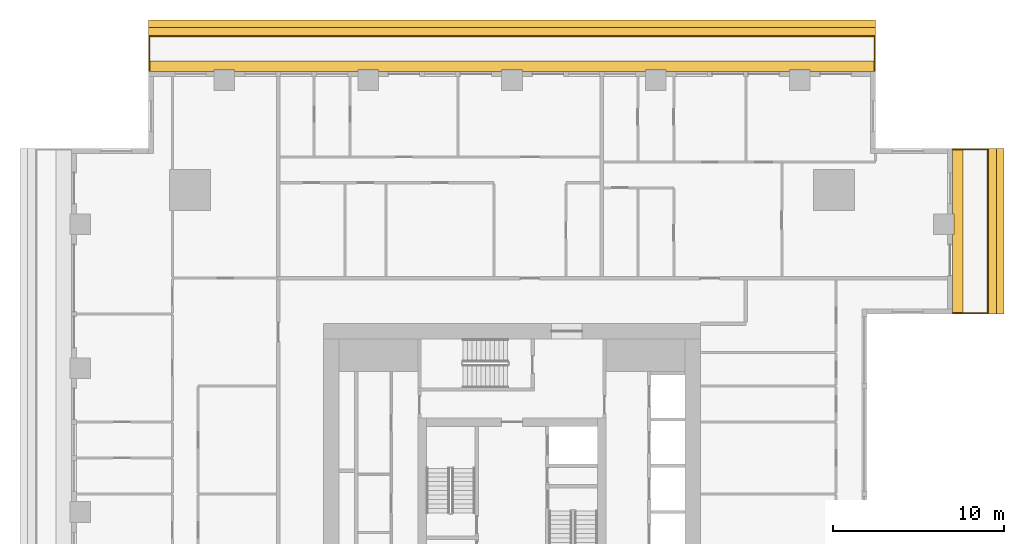
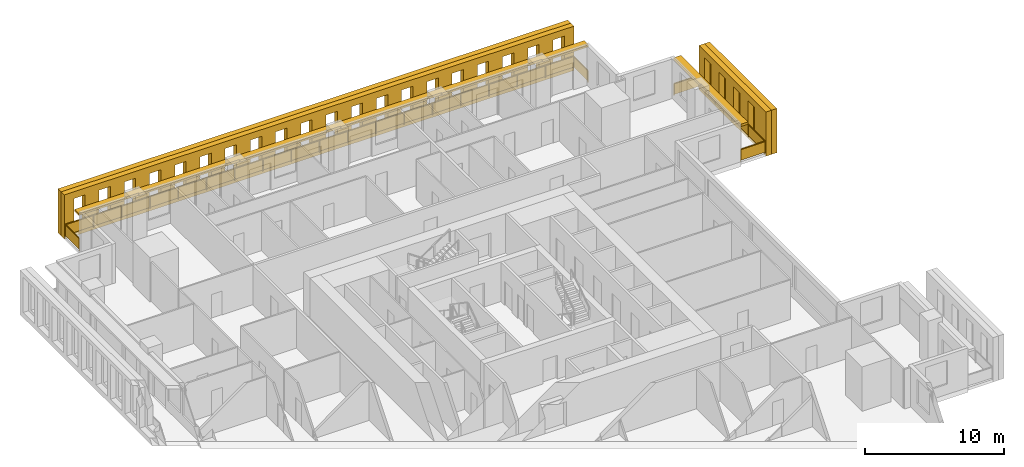
# One storey, part 15 of 15: 6 shading devices, 2 railings.
"""IFC4 building model written with IfcOpenShell, lengths in metres."""

from ifc_helpers import new_model, si_unit, direction, frame, origin, origin_2d, place, context, subcontext, project, spatial, polyline, rectangle, outline, extrude, material, layer, layer_set, type_object, element, save


model = new_model("IFC4")

# Units and contexts
model_context = context("Model", 3, precision=1e-05, world=origin(), true_north=direction((0.0, 1.0)))
body_context = subcontext(model_context, "Body", "Model", "MODEL_VIEW")
ifc_project = project(units=[si_unit("LENGTHUNIT", "METRE"), si_unit("AREAUNIT", "SQUARE_METRE"), si_unit("VOLUMEUNIT", "CUBIC_METRE"), si_unit("PLANEANGLEUNIT", "RADIAN"), si_unit("MASSUNIT", "GRAM", prefix="KILO")], contexts=[model_context])

# Site, building, storey
site_placement = place(None, origin())
site = spatial("IfcSite", under=ifc_project, at=site_placement, CompositionType="ELEMENT")
building_placement = place(site_placement, origin())
building = spatial("IfcBuilding", under=site, at=building_placement, Name="Khepri Terraces", CompositionType="ELEMENT")
storey_placement = place(building_placement, frame((0.0, 0.0, 223.5)))
storey = spatial("IfcBuildingStorey", under=building, at=storey_placement, Name="L53", CompositionType="ELEMENT", Elevation=223.5)

# Railings
ifc_material_1 = material(Name="Stainless steel grade 316", Category="steel")
railing_type = type_object("IfcRailingType", Name="GRD-BAL-1100", PredefinedType="GUARDRAIL", material=ifc_material_1)
railing_1_placement = place(storey_placement, frame((25.719970703125, 11.60009765625, 0.0)))
element("IfcRailing", 1, at=railing_1_placement, inside=storey, type_object=railing_type, Name="Balcony guard L53 E", PredefinedType="GUARDRAIL", context=body_context, shape_type="SweptSolid", body=[
    extrude(rectangle(XDim=0.050048828125, YDim=0.06005859375, at=origin_2d()), frame((0.0, 0.0, 1.070068359375), z_axis=(1.0, 0.0, 0.0), x_axis=(0.0, 1.0, 0.0)), (0.0, 0.0, 1.0), 2.050048828125),
    extrude(rectangle(XDim=2.0, YDim=0.011962890625, at=origin_2d()), frame((1.02490234375, 0.0, 0.10009765625), z_axis=(0.0, 0.0, 1.0), x_axis=(1.0, 0.0, 0.0)), (0.0, 0.0, 1.0), 0.93994140625),
    extrude(rectangle(XDim=0.050048828125, YDim=0.06005859375, at=origin_2d()), frame((2.050048828125, 0.0, 1.070068359375), z_axis=(0.0, 1.0, 0.0), x_axis=(-1.0, 0.0, 0.0)), (0.0, 0.0, 1.0), 9.56982421875),
    extrude(rectangle(XDim=2.34228515625, YDim=0.011962890625, at=origin_2d()), frame((2.050048828125, 1.1962890625, 0.10009765625), z_axis=(0.0, 0.0, 1.0), x_axis=(0.0, 1.0, 0.0)), (0.0, 0.0, 1.0), 0.93994140625),
    extrude(rectangle(XDim=2.34228515625, YDim=0.011962890625, at=origin_2d()), frame((2.050048828125, 3.588623046875, 0.10009765625), z_axis=(0.0, 0.0, 1.0), x_axis=(0.0, 1.0, 0.0)), (0.0, 0.0, 1.0), 0.93994140625),
    extrude(rectangle(XDim=2.34228515625, YDim=0.011962890625, at=origin_2d()), frame((2.050048828125, 5.981201171875, 0.10009765625), z_axis=(0.0, 0.0, 1.0), x_axis=(0.0, 1.0, 0.0)), (0.0, 0.0, 1.0), 0.93994140625),
    extrude(rectangle(XDim=2.34228515625, YDim=0.011962890625, at=origin_2d()), frame((2.050048828125, 8.37353515625, 0.10009765625), z_axis=(0.0, 0.0, 1.0), x_axis=(0.0, 1.0, 0.0)), (0.0, 0.0, 1.0), 0.93994140625),
    extrude(rectangle(XDim=0.050048828125, YDim=0.06005859375, at=origin_2d()), frame((2.050048828125, 9.56982421875, 1.070068359375), z_axis=(-1.0, 0.0, 0.0), x_axis=(0.0, -1.0, 0.0)), (0.0, 0.0, 1.0), 2.050048828125),
    extrude(rectangle(XDim=2.0, YDim=0.011962890625, at=origin_2d()), frame((1.02490234375, 9.56982421875, 0.10009765625), z_axis=(0.0, 0.0, 1.0), x_axis=(-1.0, 0.0, 0.0)), (0.0, 0.0, 1.0), 0.93994140625),
    extrude(rectangle(XDim=0.050048828125, YDim=0.050048828125, at=origin_2d()), origin(), (0.0, 0.0, 1.0), 1.0400390625),
    extrude(rectangle(XDim=0.050048828125, YDim=0.050048828125, at=origin_2d()), frame((2.050048828125, 0.0, 0.0)), (0.0, 0.0, 1.0), 1.0400390625),
    extrude(rectangle(XDim=0.050048828125, YDim=0.050048828125, at=origin_2d()), frame((2.050048828125, 2.392578125, 0.0)), (0.0, 0.0, 1.0), 1.0400390625),
    extrude(rectangle(XDim=0.050048828125, YDim=0.050048828125, at=origin_2d()), frame((2.050048828125, 4.784912109375, 0.0)), (0.0, 0.0, 1.0), 1.0400390625),
    extrude(rectangle(XDim=0.050048828125, YDim=0.050048828125, at=origin_2d()), frame((2.050048828125, 7.17724609375, 0.0)), (0.0, 0.0, 1.0), 1.0400390625),
    extrude(rectangle(XDim=0.050048828125, YDim=0.050048828125, at=origin_2d()), frame((2.050048828125, 9.56982421875, 0.0)), (0.0, 0.0, 1.0), 1.0400390625),
    extrude(rectangle(XDim=0.050048828125, YDim=0.050048828125, at=origin_2d()), frame((0.0, 9.56982421875, 0.0)), (0.0, 0.0, 1.0), 1.0400390625),
])
railing_2_placement = place(storey_placement, frame((21.169921875, 25.719970703125, 0.0)))
element("IfcRailing", 2, at=railing_2_placement, inside=storey, type_object=railing_type, Name="Balcony guard L53 N", PredefinedType="GUARDRAIL", context=body_context, shape_type="SweptSolid", body=[
    extrude(rectangle(XDim=0.050048828125, YDim=0.06005859375, at=origin_2d()), frame((0.0, 0.0, 1.070068359375), z_axis=(0.0, 1.0, 0.0), x_axis=(-1.0, 0.0, 0.0)), (0.0, 0.0, 1.0), 2.050048828125),
    extrude(rectangle(XDim=2.0, YDim=0.011962890625, at=origin_2d()), frame((0.0, 1.02490234375, 0.10009765625), z_axis=(0.0, 0.0, 1.0), x_axis=(0.0, 1.0, 0.0)), (0.0, 0.0, 1.0), 0.93994140625),
    extrude(rectangle(XDim=0.050048828125, YDim=0.06005859375, at=origin_2d()), frame((0.0, 2.050048828125, 1.070068359375), z_axis=(-1.0, 0.0, 0.0), x_axis=(0.0, -1.0, 0.0)), (0.0, 0.0, 1.0), 42.33984375),
    extrude(rectangle(XDim=2.30224609375, YDim=0.011962890625, at=origin_2d()), frame((-1.176025390625, 2.050048828125, 0.10009765625), z_axis=(0.0, 0.0, 1.0), x_axis=(-1.0, 0.0, 0.0)), (0.0, 0.0, 1.0), 0.93994140625),
    extrude(rectangle(XDim=2.30224609375, YDim=0.011962890625, at=origin_2d()), frame((-3.5283203125, 2.050048828125, 0.10009765625), z_axis=(0.0, 0.0, 1.0), x_axis=(-1.0, 0.0, 0.0)), (0.0, 0.0, 1.0), 0.93994140625),
    extrude(rectangle(XDim=2.30224609375, YDim=0.011962890625, at=origin_2d()), frame((-5.880615234375, 2.050048828125, 0.10009765625), z_axis=(0.0, 0.0, 1.0), x_axis=(-1.0, 0.0, 0.0)), (0.0, 0.0, 1.0), 0.93994140625),
    extrude(rectangle(XDim=2.30224609375, YDim=0.011962890625, at=origin_2d()), frame((-8.232666015625, 2.050048828125, 0.10009765625), z_axis=(0.0, 0.0, 1.0), x_axis=(-1.0, 0.0, 0.0)), (0.0, 0.0, 1.0), 0.93994140625),
    extrude(rectangle(XDim=2.30224609375, YDim=0.011962890625, at=origin_2d()), frame((-10.5849609375, 2.050048828125, 0.10009765625), z_axis=(0.0, 0.0, 1.0), x_axis=(-1.0, 0.0, 0.0)), (0.0, 0.0, 1.0), 0.93994140625),
    extrude(rectangle(XDim=2.30224609375, YDim=0.011962890625, at=origin_2d()), frame((-12.937255859375, 2.050048828125, 0.10009765625), z_axis=(0.0, 0.0, 1.0), x_axis=(-1.0, 0.0, 0.0)), (0.0, 0.0, 1.0), 0.93994140625),
    extrude(rectangle(XDim=2.30224609375, YDim=0.011962890625, at=origin_2d()), frame((-15.289306640625, 2.050048828125, 0.10009765625), z_axis=(0.0, 0.0, 1.0), x_axis=(-1.0, 0.0, 0.0)), (0.0, 0.0, 1.0), 0.93994140625),
    extrude(rectangle(XDim=2.30224609375, YDim=0.011962890625, at=origin_2d()), frame((-17.6416015625, 2.050048828125, 0.10009765625), z_axis=(0.0, 0.0, 1.0), x_axis=(-1.0, 0.0, 0.0)), (0.0, 0.0, 1.0), 0.93994140625),
    extrude(rectangle(XDim=2.30224609375, YDim=0.011962890625, at=origin_2d()), frame((-19.993896484375, 2.050048828125, 0.10009765625), z_axis=(0.0, 0.0, 1.0), x_axis=(-1.0, 0.0, 0.0)), (0.0, 0.0, 1.0), 0.93994140625),
    extrude(rectangle(XDim=2.30224609375, YDim=0.011962890625, at=origin_2d()), frame((-22.345947265625, 2.050048828125, 0.10009765625), z_axis=(0.0, 0.0, 1.0), x_axis=(-1.0, 0.0, 0.0)), (0.0, 0.0, 1.0), 0.93994140625),
    extrude(rectangle(XDim=2.30224609375, YDim=0.011962890625, at=origin_2d()), frame((-24.6982421875, 2.050048828125, 0.10009765625), z_axis=(0.0, 0.0, 1.0), x_axis=(-1.0, 0.0, 0.0)), (0.0, 0.0, 1.0), 0.93994140625),
    extrude(rectangle(XDim=2.30224609375, YDim=0.011962890625, at=origin_2d()), frame((-27.050537109375, 2.050048828125, 0.10009765625), z_axis=(0.0, 0.0, 1.0), x_axis=(-1.0, 0.0, 0.0)), (0.0, 0.0, 1.0), 0.93994140625),
    extrude(rectangle(XDim=2.30224609375, YDim=0.011962890625, at=origin_2d()), frame((-29.402587890625, 2.050048828125, 0.10009765625), z_axis=(0.0, 0.0, 1.0), x_axis=(-1.0, 0.0, 0.0)), (0.0, 0.0, 1.0), 0.93994140625),
    extrude(rectangle(XDim=2.30224609375, YDim=0.011962890625, at=origin_2d()), frame((-31.7548828125, 2.050048828125, 0.10009765625), z_axis=(0.0, 0.0, 1.0), x_axis=(-1.0, 0.0, 0.0)), (0.0, 0.0, 1.0), 0.93994140625),
    extrude(rectangle(XDim=2.30224609375, YDim=0.011962890625, at=origin_2d()), frame((-34.107177734375, 2.050048828125, 0.10009765625), z_axis=(0.0, 0.0, 1.0), x_axis=(-1.0, 0.0, 0.0)), (0.0, 0.0, 1.0), 0.93994140625),
    extrude(rectangle(XDim=2.30224609375, YDim=0.011962890625, at=origin_2d()), frame((-36.459228515625, 2.050048828125, 0.10009765625), z_axis=(0.0, 0.0, 1.0), x_axis=(-1.0, 0.0, 0.0)), (0.0, 0.0, 1.0), 0.93994140625),
    extrude(rectangle(XDim=2.30224609375, YDim=0.011962890625, at=origin_2d()), frame((-38.8115234375, 2.050048828125, 0.10009765625), z_axis=(0.0, 0.0, 1.0), x_axis=(-1.0, 0.0, 0.0)), (0.0, 0.0, 1.0), 0.93994140625),
    extrude(rectangle(XDim=2.30224609375, YDim=0.011962890625, at=origin_2d()), frame((-41.163818359375, 2.050048828125, 0.10009765625), z_axis=(0.0, 0.0, 1.0), x_axis=(-1.0, 0.0, 0.0)), (0.0, 0.0, 1.0), 0.93994140625),
    extrude(rectangle(XDim=0.050048828125, YDim=0.06005859375, at=origin_2d()), frame((-42.33984375, 2.050048828125, 1.070068359375), z_axis=(0.0, -1.0, 0.0), x_axis=(1.0, 0.0, 0.0)), (0.0, 0.0, 1.0), 2.050048828125),
    extrude(rectangle(XDim=2.0, YDim=0.011962890625, at=origin_2d()), frame((-42.33984375, 1.02490234375, 0.10009765625), z_axis=(0.0, 0.0, 1.0), x_axis=(0.0, -1.0, 0.0)), (0.0, 0.0, 1.0), 0.93994140625),
    extrude(rectangle(XDim=0.050048828125, YDim=0.050048828125, at=origin_2d()), origin(), (0.0, 0.0, 1.0), 1.0400390625),
    extrude(rectangle(XDim=0.050048828125, YDim=0.050048828125, at=origin_2d()), frame((0.0, 2.050048828125, 0.0)), (0.0, 0.0, 1.0), 1.0400390625),
    extrude(rectangle(XDim=0.050048828125, YDim=0.050048828125, at=origin_2d()), frame((-2.352294921875, 2.050048828125, 0.0)), (0.0, 0.0, 1.0), 1.0400390625),
    extrude(rectangle(XDim=0.050048828125, YDim=0.050048828125, at=origin_2d()), frame((-4.704345703125, 2.050048828125, 0.0)), (0.0, 0.0, 1.0), 1.0400390625),
    extrude(rectangle(XDim=0.050048828125, YDim=0.050048828125, at=origin_2d()), frame((-7.056640625, 2.050048828125, 0.0)), (0.0, 0.0, 1.0), 1.0400390625),
    extrude(rectangle(XDim=0.050048828125, YDim=0.050048828125, at=origin_2d()), frame((-9.408935546875, 2.050048828125, 0.0)), (0.0, 0.0, 1.0), 1.0400390625),
    extrude(rectangle(XDim=0.050048828125, YDim=0.050048828125, at=origin_2d()), frame((-11.760986328125, 2.050048828125, 0.0)), (0.0, 0.0, 1.0), 1.0400390625),
    extrude(rectangle(XDim=0.050048828125, YDim=0.050048828125, at=origin_2d()), frame((-14.11328125, 2.050048828125, 0.0)), (0.0, 0.0, 1.0), 1.0400390625),
    extrude(rectangle(XDim=0.050048828125, YDim=0.050048828125, at=origin_2d()), frame((-16.465576171875, 2.050048828125, 0.0)), (0.0, 0.0, 1.0), 1.0400390625),
    extrude(rectangle(XDim=0.050048828125, YDim=0.050048828125, at=origin_2d()), frame((-18.817626953125, 2.050048828125, 0.0)), (0.0, 0.0, 1.0), 1.0400390625),
    extrude(rectangle(XDim=0.050048828125, YDim=0.050048828125, at=origin_2d()), frame((-21.169921875, 2.050048828125, 0.0)), (0.0, 0.0, 1.0), 1.0400390625),
    extrude(rectangle(XDim=0.050048828125, YDim=0.050048828125, at=origin_2d()), frame((-23.522216796875, 2.050048828125, 0.0)), (0.0, 0.0, 1.0), 1.0400390625),
    extrude(rectangle(XDim=0.050048828125, YDim=0.050048828125, at=origin_2d()), frame((-25.874267578125, 2.050048828125, 0.0)), (0.0, 0.0, 1.0), 1.0400390625),
    extrude(rectangle(XDim=0.050048828125, YDim=0.050048828125, at=origin_2d()), frame((-28.2265625, 2.050048828125, 0.0)), (0.0, 0.0, 1.0), 1.0400390625),
    extrude(rectangle(XDim=0.050048828125, YDim=0.050048828125, at=origin_2d()), frame((-30.578857421875, 2.050048828125, 0.0)), (0.0, 0.0, 1.0), 1.0400390625),
    extrude(rectangle(XDim=0.050048828125, YDim=0.050048828125, at=origin_2d()), frame((-32.930908203125, 2.050048828125, 0.0)), (0.0, 0.0, 1.0), 1.0400390625),
    extrude(rectangle(XDim=0.050048828125, YDim=0.050048828125, at=origin_2d()), frame((-35.283203125, 2.050048828125, 0.0)), (0.0, 0.0, 1.0), 1.0400390625),
    extrude(rectangle(XDim=0.050048828125, YDim=0.050048828125, at=origin_2d()), frame((-37.635498046875, 2.050048828125, 0.0)), (0.0, 0.0, 1.0), 1.0400390625),
    extrude(rectangle(XDim=0.050048828125, YDim=0.050048828125, at=origin_2d()), frame((-39.987548828125, 2.050048828125, 0.0)), (0.0, 0.0, 1.0), 1.0400390625),
    extrude(rectangle(XDim=0.050048828125, YDim=0.050048828125, at=origin_2d()), frame((-42.33984375, 2.050048828125, 0.0)), (0.0, 0.0, 1.0), 1.0400390625),
    extrude(rectangle(XDim=0.050048828125, YDim=0.050048828125, at=origin_2d()), frame((-42.33984375, 0.0, 0.0)), (0.0, 0.0, 1.0), 1.0400390625),
])

# Shading devices
ifc_material_2 = material(Name="Precast concrete C50/60 warm stone", Category="masonry")
shading_device_type_1 = type_object("IfcShadingDeviceType", Name="SCR-CELL-INNER-450", PredefinedType="USERDEFINED", material=ifc_material_2)
shading_device_1_placement = place(storey_placement, frame((27.820068359375, 11.550048828125, -0.25), z_axis=(1.0, 0.0, 0.0), x_axis=(0.0, 1.0, 0.0)))
element("IfcShadingDevice", 3, at=shading_device_1_placement, inside=storey, type_object=shading_device_type_1, Name="Cell screen L53 E in", ObjectType="SCREEN", PredefinedType="USERDEFINED", context=body_context, shape_type="SweptSolid", body=[
    extrude(outline(polyline([(0.0, 0.0), (9.669921875, 0.0), (9.669921875, 3.89990234375), (0.0, 3.89990234375), (0.0, 0.0)]), holes=[polyline([(1.62744140625, 0.699951171875), (2.572509765625, 0.699951171875), (2.572509765625, 3.300048828125), (1.62744140625, 3.300048828125), (1.62744140625, 0.699951171875)]), polyline([(3.7275390625, 0.699951171875), (4.672607421875, 0.699951171875), (4.672607421875, 3.300048828125), (3.7275390625, 3.300048828125), (3.7275390625, 0.699951171875)]), polyline([(5.827392578125, 0.699951171875), (6.7724609375, 0.699951171875), (6.7724609375, 3.300048828125), (5.827392578125, 3.300048828125), (5.827392578125, 0.699951171875)]), polyline([(7.927490234375, 0.699951171875), (8.87255859375, 0.699951171875), (8.87255859375, 3.300048828125), (7.927490234375, 3.300048828125), (7.927490234375, 0.699951171875)])]), origin(), (0.0, 0.0, 1.0), 0.449951171875),
])
shading_device_2_placement = place(storey_placement, frame((21.219970703125, 27.820068359375, -0.25), z_axis=(0.0, 1.0, 0.0), x_axis=(-1.0, 0.0, 0.0)))
element("IfcShadingDevice", 4, at=shading_device_2_placement, inside=storey, type_object=shading_device_type_1, Name="Cell screen L53 N in", ObjectType="SCREEN", PredefinedType="USERDEFINED", context=body_context, shape_type="SweptSolid", body=[
    extrude(outline(polyline([(0.0, 0.0), (42.43994140625, 0.0), (42.43994140625, 3.89990234375), (0.0, 3.89990234375), (0.0, 0.0)]), holes=[polyline([(0.797607421875, 0.699951171875), (1.742431640625, 0.699951171875), (1.742431640625, 3.300048828125), (0.797607421875, 3.300048828125), (0.797607421875, 0.699951171875)]), polyline([(2.8974609375, 0.699951171875), (3.842529296875, 0.699951171875), (3.842529296875, 3.300048828125), (2.8974609375, 3.300048828125), (2.8974609375, 0.699951171875)]), polyline([(4.99755859375, 0.699951171875), (5.9423828125, 0.699951171875), (5.9423828125, 3.300048828125), (4.99755859375, 3.300048828125), (4.99755859375, 0.699951171875)]), polyline([(7.097412109375, 0.699951171875), (8.04248046875, 0.699951171875), (8.04248046875, 3.300048828125), (7.097412109375, 3.300048828125), (7.097412109375, 0.699951171875)]), polyline([(9.197509765625, 0.699951171875), (10.142578125, 0.699951171875), (10.142578125, 3.300048828125), (9.197509765625, 3.300048828125), (9.197509765625, 0.699951171875)]), polyline([(11.297607421875, 0.699951171875), (12.242431640625, 0.699951171875), (12.242431640625, 3.300048828125), (11.297607421875, 3.300048828125), (11.297607421875, 0.699951171875)]), polyline([(13.3974609375, 0.699951171875), (14.342529296875, 0.699951171875), (14.342529296875, 3.300048828125), (13.3974609375, 3.300048828125), (13.3974609375, 0.699951171875)]), polyline([(15.49755859375, 0.699951171875), (16.4423828125, 0.699951171875), (16.4423828125, 3.300048828125), (15.49755859375, 3.300048828125), (15.49755859375, 0.699951171875)]), polyline([(17.597412109375, 0.699951171875), (18.54248046875, 0.699951171875), (18.54248046875, 3.300048828125), (17.597412109375, 3.300048828125), (17.597412109375, 0.699951171875)]), polyline([(19.697509765625, 0.699951171875), (20.642578125, 0.699951171875), (20.642578125, 3.300048828125), (19.697509765625, 3.300048828125), (19.697509765625, 0.699951171875)]), polyline([(21.797607421875, 0.699951171875), (22.742431640625, 0.699951171875), (22.742431640625, 3.300048828125), (21.797607421875, 3.300048828125), (21.797607421875, 0.699951171875)]), polyline([(23.8974609375, 0.699951171875), (24.842529296875, 0.699951171875), (24.842529296875, 3.300048828125), (23.8974609375, 3.300048828125), (23.8974609375, 0.699951171875)]), polyline([(25.99755859375, 0.699951171875), (26.9423828125, 0.699951171875), (26.9423828125, 3.300048828125), (25.99755859375, 3.300048828125), (25.99755859375, 0.699951171875)]), polyline([(28.097412109375, 0.699951171875), (29.04248046875, 0.699951171875), (29.04248046875, 3.300048828125), (28.097412109375, 3.300048828125), (28.097412109375, 0.699951171875)]), polyline([(30.197509765625, 0.699951171875), (31.142578125, 0.699951171875), (31.142578125, 3.300048828125), (30.197509765625, 3.300048828125), (30.197509765625, 0.699951171875)]), polyline([(32.297607421875, 0.699951171875), (33.242431640625, 0.699951171875), (33.242431640625, 3.300048828125), (32.297607421875, 3.300048828125), (32.297607421875, 0.699951171875)]), polyline([(34.3974609375, 0.699951171875), (35.342529296875, 0.699951171875), (35.342529296875, 3.300048828125), (34.3974609375, 3.300048828125), (34.3974609375, 0.699951171875)]), polyline([(36.49755859375, 0.699951171875), (37.4423828125, 0.699951171875), (37.4423828125, 3.300048828125), (36.49755859375, 3.300048828125), (36.49755859375, 0.699951171875)]), polyline([(38.597412109375, 0.699951171875), (39.54248046875, 0.699951171875), (39.54248046875, 3.300048828125), (38.597412109375, 3.300048828125), (38.597412109375, 0.699951171875)]), polyline([(40.697509765625, 0.699951171875), (41.642578125, 0.699951171875), (41.642578125, 3.300048828125), (40.697509765625, 3.300048828125), (40.697509765625, 0.699951171875)])]), origin(), (0.0, 0.0, 1.0), 0.449951171875),
])
shading_device_type_2 = type_object("IfcShadingDeviceType", Name="SCR-CELL-OUTER-450", PredefinedType="USERDEFINED", material=ifc_material_2)
shading_device_3_placement = place(storey_placement, frame((28.27001953125, 11.550048828125, -0.25), z_axis=(1.0, 0.0, 0.0), x_axis=(0.0, 1.0, 0.0)))
element("IfcShadingDevice", 5, at=shading_device_3_placement, inside=storey, type_object=shading_device_type_2, Name="Cell screen L53 E out", ObjectType="SCREEN", PredefinedType="USERDEFINED", context=body_context, shape_type="SweptSolid", body=[
    extrude(outline(polyline([(0.0, 0.0), (9.669921875, 0.0), (9.669921875, 3.89990234375), (0.0, 3.89990234375), (0.0, 0.0)]), holes=[polyline([(1.277587890625, 0.449951171875), (2.922607421875, 0.449951171875), (2.922607421875, 3.550048828125), (1.277587890625, 3.550048828125), (1.277587890625, 0.449951171875)]), polyline([(3.37744140625, 0.449951171875), (5.0224609375, 0.449951171875), (5.0224609375, 3.550048828125), (3.37744140625, 3.550048828125), (3.37744140625, 0.449951171875)]), polyline([(5.4775390625, 0.449951171875), (7.12255859375, 0.449951171875), (7.12255859375, 3.550048828125), (5.4775390625, 3.550048828125), (5.4775390625, 0.449951171875)]), polyline([(7.577392578125, 0.449951171875), (9.222412109375, 0.449951171875), (9.222412109375, 3.550048828125), (7.577392578125, 3.550048828125), (7.577392578125, 0.449951171875)])]), origin(), (0.0, 0.0, 1.0), 0.449951171875),
])
shading_device_4_placement = place(storey_placement, frame((21.219970703125, 28.27001953125, -0.25), z_axis=(0.0, 1.0, 0.0), x_axis=(-1.0, 0.0, 0.0)))
element("IfcShadingDevice", 6, at=shading_device_4_placement, inside=storey, type_object=shading_device_type_2, Name="Cell screen L53 N out", ObjectType="SCREEN", PredefinedType="USERDEFINED", context=body_context, shape_type="SweptSolid", body=[
    extrude(outline(polyline([(0.0, 0.0), (42.43994140625, 0.0), (42.43994140625, 3.89990234375), (0.0, 3.89990234375), (0.0, 0.0)]), holes=[polyline([(0.447509765625, 0.449951171875), (2.092529296875, 0.449951171875), (2.092529296875, 3.550048828125), (0.447509765625, 3.550048828125), (0.447509765625, 0.449951171875)]), polyline([(2.547607421875, 0.449951171875), (4.1923828125, 0.449951171875), (4.1923828125, 3.550048828125), (2.547607421875, 3.550048828125), (2.547607421875, 0.449951171875)]), polyline([(4.6474609375, 0.449951171875), (6.29248046875, 0.449951171875), (6.29248046875, 3.550048828125), (4.6474609375, 3.550048828125), (4.6474609375, 0.449951171875)]), polyline([(6.74755859375, 0.449951171875), (8.392578125, 0.449951171875), (8.392578125, 3.550048828125), (6.74755859375, 3.550048828125), (6.74755859375, 0.449951171875)]), polyline([(8.847412109375, 0.449951171875), (10.492431640625, 0.449951171875), (10.492431640625, 3.550048828125), (8.847412109375, 3.550048828125), (8.847412109375, 0.449951171875)]), polyline([(10.947509765625, 0.449951171875), (12.592529296875, 0.449951171875), (12.592529296875, 3.550048828125), (10.947509765625, 3.550048828125), (10.947509765625, 0.449951171875)]), polyline([(13.047607421875, 0.449951171875), (14.6923828125, 0.449951171875), (14.6923828125, 3.550048828125), (13.047607421875, 3.550048828125), (13.047607421875, 0.449951171875)]), polyline([(15.1474609375, 0.449951171875), (16.79248046875, 0.449951171875), (16.79248046875, 3.550048828125), (15.1474609375, 3.550048828125), (15.1474609375, 0.449951171875)]), polyline([(17.24755859375, 0.449951171875), (18.892578125, 0.449951171875), (18.892578125, 3.550048828125), (17.24755859375, 3.550048828125), (17.24755859375, 0.449951171875)]), polyline([(19.347412109375, 0.449951171875), (20.992431640625, 0.449951171875), (20.992431640625, 3.550048828125), (19.347412109375, 3.550048828125), (19.347412109375, 0.449951171875)]), polyline([(21.447509765625, 0.449951171875), (23.092529296875, 0.449951171875), (23.092529296875, 3.550048828125), (21.447509765625, 3.550048828125), (21.447509765625, 0.449951171875)]), polyline([(23.547607421875, 0.449951171875), (25.1923828125, 0.449951171875), (25.1923828125, 3.550048828125), (23.547607421875, 3.550048828125), (23.547607421875, 0.449951171875)]), polyline([(25.6474609375, 0.449951171875), (27.29248046875, 0.449951171875), (27.29248046875, 3.550048828125), (25.6474609375, 3.550048828125), (25.6474609375, 0.449951171875)]), polyline([(27.74755859375, 0.449951171875), (29.392578125, 0.449951171875), (29.392578125, 3.550048828125), (27.74755859375, 3.550048828125), (27.74755859375, 0.449951171875)]), polyline([(29.847412109375, 0.449951171875), (31.492431640625, 0.449951171875), (31.492431640625, 3.550048828125), (29.847412109375, 3.550048828125), (29.847412109375, 0.449951171875)]), polyline([(31.947509765625, 0.449951171875), (33.592529296875, 0.449951171875), (33.592529296875, 3.550048828125), (31.947509765625, 3.550048828125), (31.947509765625, 0.449951171875)]), polyline([(34.047607421875, 0.449951171875), (35.6923828125, 0.449951171875), (35.6923828125, 3.550048828125), (34.047607421875, 3.550048828125), (34.047607421875, 0.449951171875)]), polyline([(36.1474609375, 0.449951171875), (37.79248046875, 0.449951171875), (37.79248046875, 3.550048828125), (36.1474609375, 3.550048828125), (36.1474609375, 0.449951171875)]), polyline([(38.24755859375, 0.449951171875), (39.892578125, 0.449951171875), (39.892578125, 3.550048828125), (38.24755859375, 3.550048828125), (38.24755859375, 0.449951171875)]), polyline([(40.347412109375, 0.449951171875), (41.992431640625, 0.449951171875), (41.992431640625, 3.550048828125), (40.347412109375, 3.550048828125), (40.347412109375, 0.449951171875)])]), origin(), (0.0, 0.0, 1.0), 0.449951171875),
])
ifc_layer = layer(ifc_material_2, 0.199951171875, Name="Precast concrete C50/60 warm stone", Category="masonry")
ifc_layer_set = layer_set([ifc_layer], Name="Precast concrete C50/60 warm stone")
shading_device_type_3 = type_object("IfcShadingDeviceType", Name="SSH-BAND-STONE-200-N", PredefinedType="USERDEFINED", material=ifc_layer_set)
shading_device_5_placement = place(storey_placement, frame((0.0, 0.0, 3.10009765625)))
element("IfcShadingDevice", 7, at=shading_device_5_placement, inside=storey, type_object=shading_device_type_3, Name="Sunshade band L53 E", ObjectType="SUNSHADE", PredefinedType="USERDEFINED", context=body_context, shape_type="SweptSolid", body=[
    extrude(outline(polyline([(25.719970703125, 16.199951171875), (25.719970703125, 11.550048828125), (26.320068359375, 11.550048828125), (26.320068359375, 21.219970703125), (25.719970703125, 21.219970703125), (25.719970703125, 17.39990234375), (25.800048828125, 17.39990234375), (25.800048828125, 16.199951171875), (25.719970703125, 16.199951171875)])), origin(), (0.0, 0.0, 1.0), 0.199951171875),
])
shading_device_6_placement = place(storey_placement, frame((0.0, 0.0, 3.10009765625)))
element("IfcShadingDevice", 8, at=shading_device_6_placement, inside=storey, type_object=shading_device_type_3, Name="Sunshade band L53 N", ObjectType="SUNSHADE", PredefinedType="USERDEFINED", context=body_context, shape_type="SweptSolid", body=[
    extrude(outline(polyline([(17.39990234375, 25.719970703125), (21.219970703125, 25.719970703125), (21.219970703125, 26.320068359375), (-21.219970703125, 26.320068359375), (-21.219970703125, 25.719970703125), (-17.39990234375, 25.719970703125), (-17.39990234375, 25.800048828125), (-16.199951171875, 25.800048828125), (-16.199951171875, 25.719970703125), (-9.0, 25.719970703125), (-9.0, 25.800048828125), (-7.800048828125, 25.800048828125), (-7.800048828125, 25.719970703125), (-0.60009765625, 25.719970703125), (-0.60009765625, 25.800048828125), (0.60009765625, 25.800048828125), (0.60009765625, 25.719970703125), (7.800048828125, 25.719970703125), (7.800048828125, 25.800048828125), (9.0, 25.800048828125), (9.0, 25.719970703125), (16.199951171875, 25.719970703125), (16.199951171875, 25.800048828125), (17.39990234375, 25.800048828125), (17.39990234375, 25.719970703125)])), origin(), (0.0, 0.0, 1.0), 0.199951171875),
])

save(model, "model.ifc")
